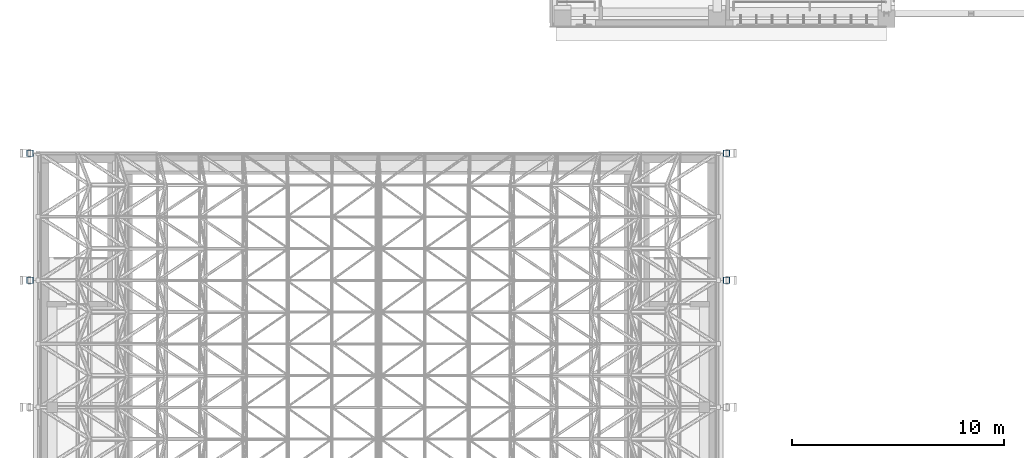
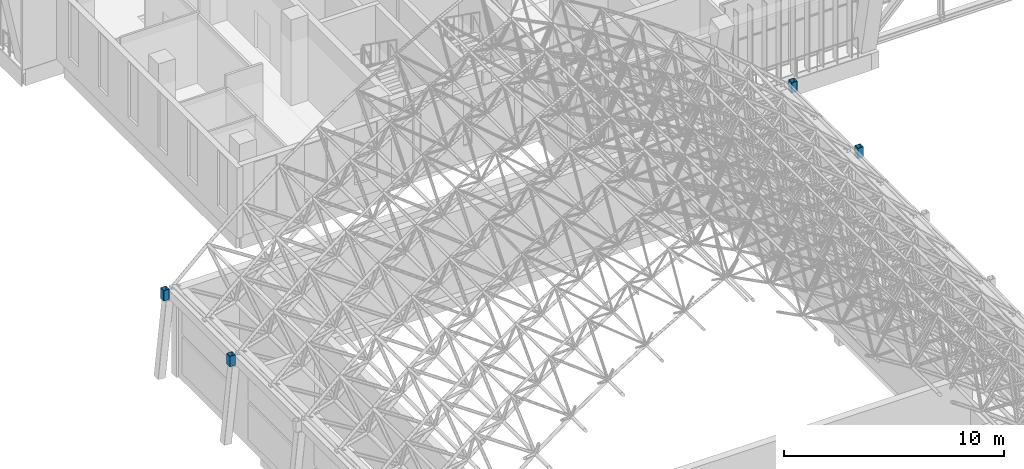
# One storey, part 4 of 141: 4 columns.
"""IFC4 building model written with IfcOpenShell, lengths in metres."""

from ifc_helpers import new_model, si_unit, direction, frame, origin, origin_2d, place, context, subcontext, project, spatial, hollow_rectangle, extrude, material, material_profile, profile_set, type_object, element, save


model = new_model("IFC4")

# Units and contexts
model_context = context("Model", 3, precision=1e-05, world=origin(), true_north=direction((0.0, 1.0)))
body_context = subcontext(model_context, "Body", "Model", "MODEL_VIEW")
ifc_project = project(units=[si_unit("LENGTHUNIT", "METRE"), si_unit("AREAUNIT", "SQUARE_METRE"), si_unit("VOLUMEUNIT", "CUBIC_METRE"), si_unit("PLANEANGLEUNIT", "RADIAN"), si_unit("MASSUNIT", "GRAM", prefix="KILO")], contexts=[model_context])

# Site, building, storey
site_placement = place(None, origin())
site = spatial("IfcSite", under=ifc_project, at=site_placement, CompositionType="ELEMENT")
building_placement = place(site_placement, origin())
building = spatial("IfcBuilding", under=site, at=building_placement, Name="Lantern Court Media Centre", CompositionType="ELEMENT")
storey_placement = place(building_placement, frame((0.0, 0.0, 9.60009765625)))
storey = spatial("IfcBuildingStorey", under=building, at=storey_placement, Name="L02", CompositionType="ELEMENT", Elevation=9.60009765625)

# Columns
ifc_material = material(Name="Steel S355J2 (EN 10025-2)", Category="steel")
ifc_material_profile = material_profile(ifc_material, hollow_rectangle(XDim=0.300048828125, YDim=0.300048828125, WallThickness=0.012451171875, InnerFilletRadius=0.012451171875, OuterFilletRadius=0.018798828125, at=origin_2d()), Name="Cinema Hall buttress pinnacle SHS 300x12.5")
ifc_profile_set = profile_set([ifc_material_profile], Name="Steel S355J2 (EN 10025-2)")
column_type = type_object("IfcColumnType", Name="Cinema Hall buttress pinnacle SHS 300x12.5", PredefinedType="COLUMN", material=ifc_profile_set)
for number, where, z_axis, x_axis, name in (
    (1, (-0.4501953125, 34.0, 4.220458984375), (0.0, 0.0, 1.0), (1.0, 0.0, 0.0), "Cinema Hall pinnacle west 7"),
    (2, (-0.4501953125, 40.0, 4.220458984375), (0.0, 0.0, 1.0), (1.0, 0.0, 0.0), "Cinema Hall pinnacle west 8"),
    (3, (32.4501953125, 34.0, 4.220458984375), (0.0, 0.0, 1.0), (1.0, 0.0, 0.0), "Cinema Hall pinnacle east 7"),
    (4, (32.4501953125, 40.0, 4.220458984375), (0.0, 0.0, 1.0), (1.0, 0.0, 0.0), "Cinema Hall pinnacle east 8"),
):
    element("IfcColumn", number, at=place(storey_placement, frame(where, z_axis=z_axis, x_axis=x_axis)), inside=storey, type_object=column_type, Name=name, PredefinedType="COLUMN", context=body_context, shape_type="SweptSolid", body=[
        extrude(hollow_rectangle(XDim=0.300048828125, YDim=0.300048828125, WallThickness=0.012451171875, InnerFilletRadius=0.012451171875, OuterFilletRadius=0.018798828125, at=origin_2d()), origin(), (0.0, 0.0, 1.0), 0.579345703125),
    ])

save(model, "model.ifc")
